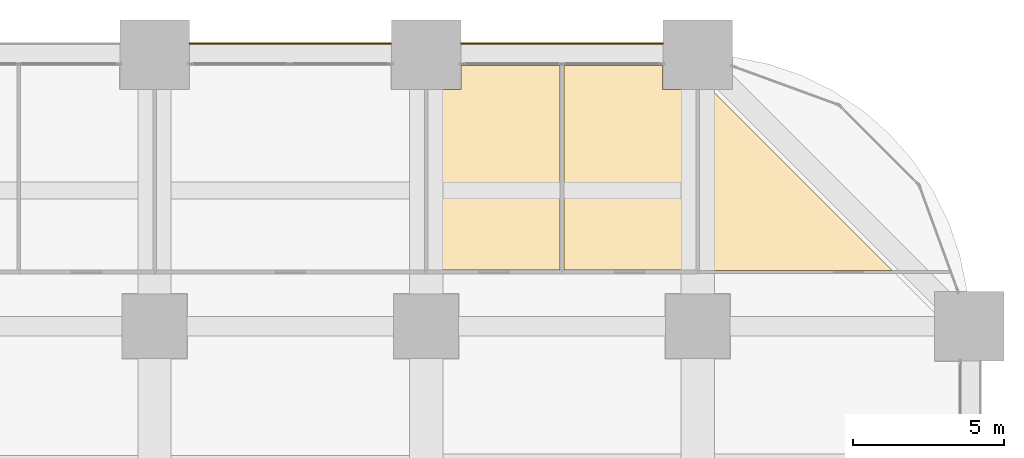
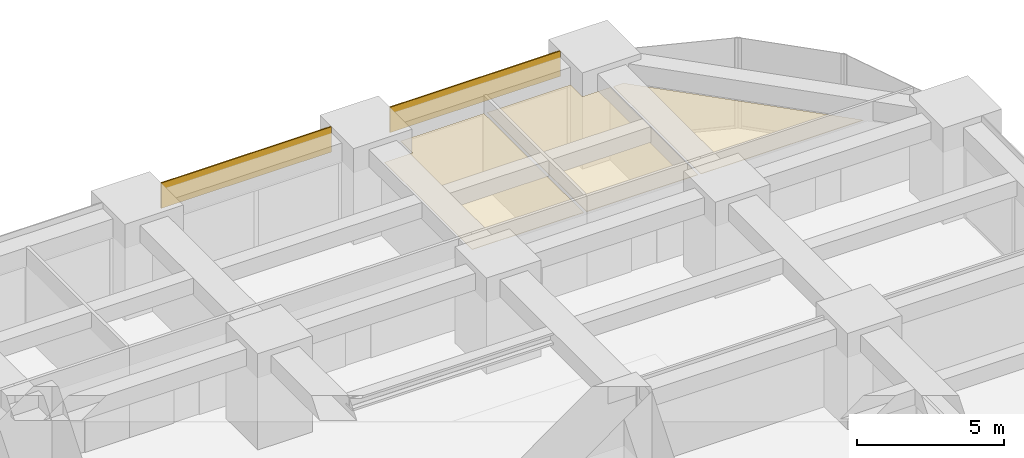
# One storey, part 44 of 44: 5 coverings.
"""IFC4 building model written with IfcOpenShell, lengths in metres."""

from ifc_helpers import new_model, si_unit, direction, frame, frame_2d, origin, place, context, subcontext, project, spatial, polyline, rectangle, outline, extrude, material, layer, layer_set, type_object, element, save


model = new_model("IFC4")

# Units and contexts
model_context = context("Model", 3, precision=1e-05, world=origin(), true_north=direction((0.0, 1.0)))
body_context = subcontext(model_context, "Body", "Model", "MODEL_VIEW")
ifc_project = project(units=[si_unit("LENGTHUNIT", "METRE"), si_unit("AREAUNIT", "SQUARE_METRE"), si_unit("VOLUMEUNIT", "CUBIC_METRE"), si_unit("PLANEANGLEUNIT", "RADIAN"), si_unit("MASSUNIT", "GRAM", prefix="KILO")], contexts=[model_context])

# Site, building, storey
site_placement = place(None, origin())
site = spatial("IfcSite", under=ifc_project, at=site_placement, CompositionType="ELEMENT")
building_placement = place(site_placement, origin())
building = spatial("IfcBuilding", under=site, at=building_placement, Name="Zorevar Civic Tower", CompositionType="ELEMENT")
storey_placement = place(building_placement, frame((0.0, 0.0, 59.800048828125)))
storey = spatial("IfcBuildingStorey", under=building, at=storey_placement, Name="L14", CompositionType="ELEMENT", Elevation=59.800048828125)

# Coverings
ifc_material_1 = material(Name="Black anodised aluminium spandrel panel", Category="aluminium")
ifc_layer_1 = layer(ifc_material_1, 0.050048828125)
ifc_layer_set_1 = layer_set([ifc_layer_1], Name="Spandrel cladding SP1")
covering_type_1 = type_object("IfcCoveringType", Name="Spandrel cladding SP1", PredefinedType="CLADDING", material=ifc_layer_set_1)
for number, where, z_axis, x_axis, name in (
    (1, (37.14990234375, 54.375, 2.949951171875), (0.0, 0.0, 1.0), (1.0, 0.0, 0.0), "Spandrel cladding L15"),
    (2, (46.14990234375, 54.375, 2.949951171875), (0.0, 0.0, 1.0), (1.0, 0.0, 0.0), "Spandrel cladding L15"),
):
    element("IfcCovering", number, at=place(storey_placement, frame(where, z_axis=z_axis, x_axis=x_axis)), inside=storey, type_object=covering_type_1, Name=name, PredefinedType="CLADDING", context=body_context, shape_type="SweptSolid", body=[
        extrude(rectangle(XDim=6.7001953125, YDim=0.050048828125, at=frame_2d((3.35009765625, 0.0))), origin(), (0.0, 0.0, 1.0), 1.050048828125),
    ])
ifc_material_2 = material(Name="Mineral fibre tiles on a concealed grid")
ifc_layer_2 = layer(ifc_material_2, 0.02001953125)
ifc_layer_set_2 = layer_set([ifc_layer_2], Name="Suspended ceiling SC1")
covering_type_2 = type_object("IfcCoveringType", Name="Suspended ceiling SC1", PredefinedType="CEILING", material=ifc_layer_set_2)
covering_1_placement = place(storey_placement, frame((0.0, 0.0, 3.0)))
element("IfcCovering", 3, at=covering_1_placement, inside=storey, type_object=covering_type_2, Name="Ceiling L14-23", PredefinedType="CEILING", context=body_context, shape_type="SweptSolid", body=[
    extrude(outline(polyline([(45.06005859375, 46.860107421875), (45.06005859375, 52.840087890625), (46.159912109375, 52.840087890625), (46.159912109375, 53.64990234375), (49.43994140625, 53.64990234375), (49.43994140625, 46.860107421875), (45.06005859375, 46.860107421875)])), origin(), (0.0, 0.0, 1.0), 0.02001953125),
])
covering_2_placement = place(storey_placement, frame((0.0, 0.0, 3.0)))
element("IfcCovering", 4, at=covering_2_placement, inside=storey, type_object=covering_type_2, Name="Ceiling L14-24", PredefinedType="CEILING", context=body_context, shape_type="SweptSolid", body=[
    extrude(outline(polyline([(49.56005859375, 46.860107421875), (49.56005859375, 53.64990234375), (52.840087890625, 53.64990234375), (52.840087890625, 52.840087890625), (53.93994140625, 52.840087890625), (53.93994140625, 46.860107421875), (49.56005859375, 46.860107421875)])), origin(), (0.0, 0.0, 1.0), 0.02001953125),
])
covering_3_placement = place(storey_placement, frame((0.0, 0.0, 3.0)))
element("IfcCovering", 5, at=covering_3_placement, inside=storey, type_object=covering_type_2, Name="Ceiling L14-26", PredefinedType="CEILING", context=body_context, shape_type="SweptSolid", body=[
    extrude(outline(polyline([(54.06005859375, 46.85009765625), (54.06005859375, 52.840087890625), (54.452880859375, 52.840087890625), (60.44287109375, 46.85009765625), (54.06005859375, 46.85009765625)])), origin(), (0.0, 0.0, 1.0), 0.02001953125),
])

save(model, "model.ifc")
